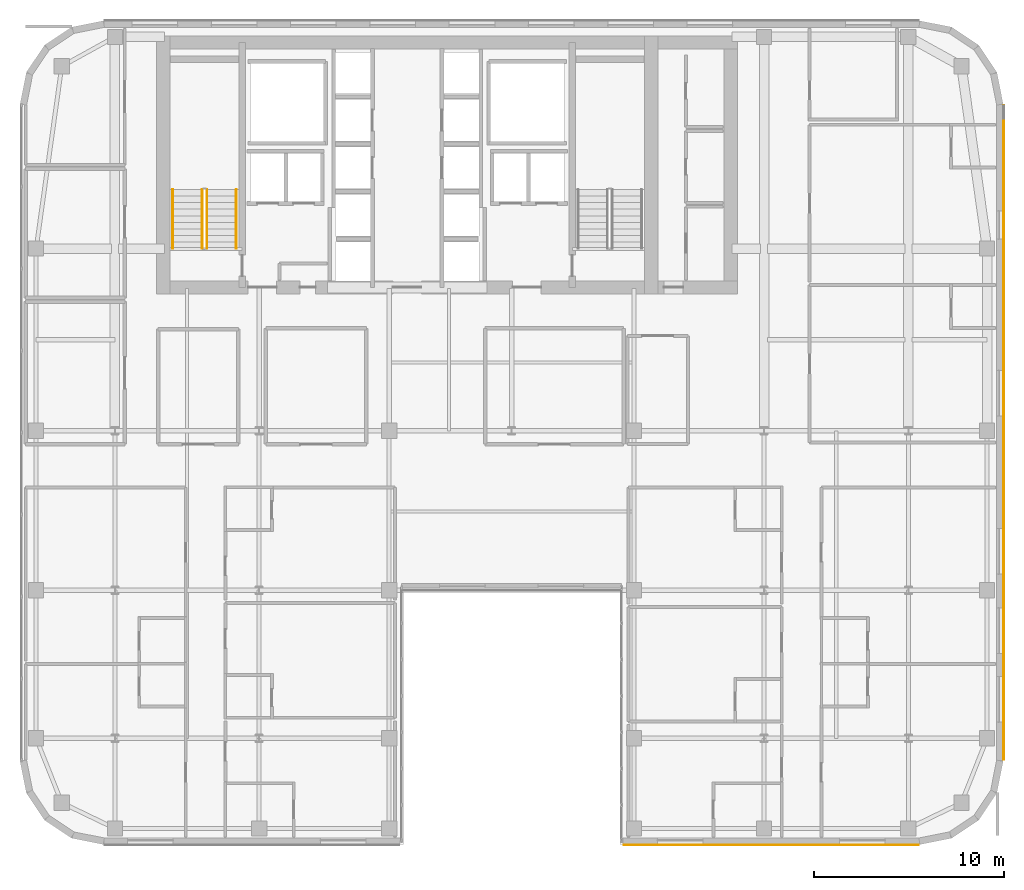
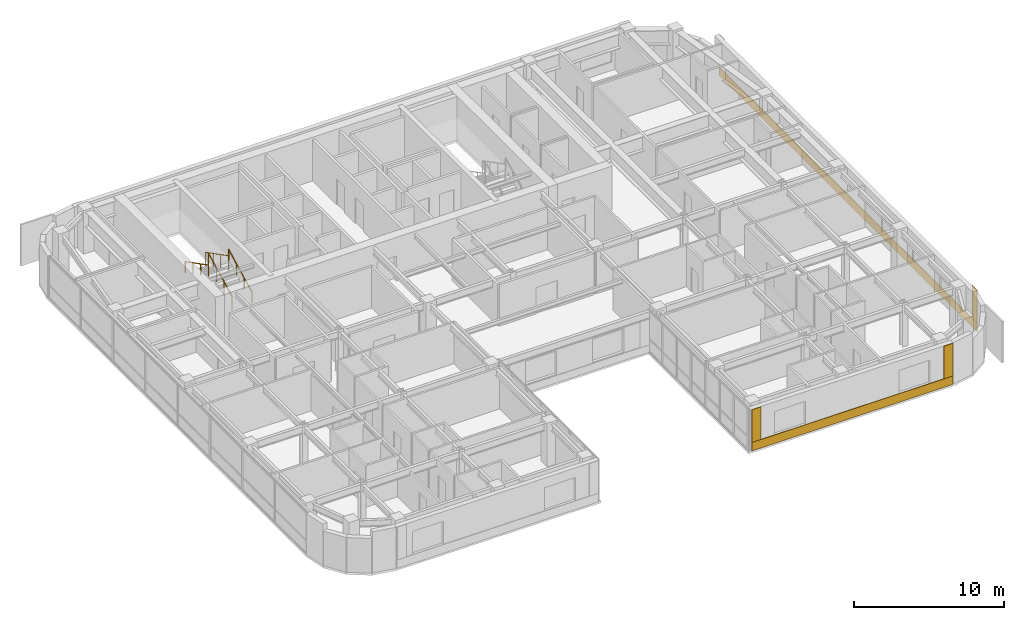
# One storey, part 26 of 28: 5 coverings, 4 railings.
"""IFC4 building model written with IfcOpenShell, lengths in metres."""

from ifc_helpers import new_model, si_unit, direction, frame, origin, origin_2d, place, context, subcontext, project, spatial, polyline, circle, outline, extrude, material, layer, layer_set, type_object, element, save


model = new_model("IFC4")

# Units and contexts
model_context = context("Model", 3, precision=1e-05, world=origin(), true_north=direction((0.0, 1.0)))
body_context = subcontext(model_context, "Body", "Model", "MODEL_VIEW")
ifc_project = project(units=[si_unit("LENGTHUNIT", "METRE"), si_unit("AREAUNIT", "SQUARE_METRE"), si_unit("VOLUMEUNIT", "CUBIC_METRE"), si_unit("PLANEANGLEUNIT", "RADIAN"), si_unit("MASSUNIT", "GRAM", prefix="KILO")], contexts=[model_context])

# Site, building, storey
site_placement = place(None, origin())
site = spatial("IfcSite", under=ifc_project, at=site_placement, CompositionType="ELEMENT")
building_placement = place(site_placement, origin())
building = spatial("IfcBuilding", under=site, at=building_placement, Name="Tolvann Quenvar Hotel", CompositionType="ELEMENT")
storey_placement = place(building_placement, frame((0.0, 0.0, 198.199951171875)))
storey = spatial("IfcBuildingStorey", under=building, at=storey_placement, Name="L52", CompositionType="ELEMENT", Elevation=198.199951171875)

# Coverings
ifc_material_1 = material(Name="Kiln-fired red architectural face brick cladding", Category="masonry")
ifc_layer_1 = layer(ifc_material_1, 0.0400390625)
ifc_layer_set_1 = layer_set([ifc_layer_1], Name="Kiln-fired red architectural face brick cladding")
covering_type_1 = type_object("IfcCoveringType", Name="COV_CLAD_BRICK_40", PredefinedType="CLADDING", material=ifc_layer_set_1)
covering_1_placement = place(storey_placement, frame((0.0, 0.0, 0.699951171875)))
element("IfcCovering", 1, at=covering_1_placement, inside=storey, type_object=covering_type_1, Name="Brick Pier Cladding (L52-E08-P1)", PredefinedType="CLADDING", context=body_context, shape_type="SweptSolid", body=[
    extrude(outline(polyline([(34.425048828125, 2.60009765625), (35.125, 2.60009765625), (35.125, 2.56005859375), (34.425048828125, 2.56005859375), (34.425048828125, 2.60009765625)])), origin(), (0.0, 0.0, 1.0), 2.670166015625),
])
covering_2_placement = place(storey_placement, frame((0.0, 0.0, 0.699951171875)))
element("IfcCovering", 2, at=covering_2_placement, inside=storey, type_object=covering_type_1, Name="Brick Pier Cladding (L52-E08-P2)", PredefinedType="CLADDING", context=body_context, shape_type="SweptSolid", body=[
    extrude(outline(polyline([(49.23291015625, 2.60009765625), (49.932861328125, 2.60009765625), (49.932861328125, 2.56005859375), (49.23291015625, 2.56005859375), (49.23291015625, 2.60009765625)])), origin(), (0.0, 0.0, 1.0), 2.670166015625),
])
covering_3_placement = place(storey_placement, frame((0.0, 0.0, 0.699951171875)))
element("IfcCovering", 3, at=covering_3_placement, inside=storey, type_object=covering_type_1, Name="Brick Pier Cladding (L52-E13-P1)", PredefinedType="CLADDING", context=body_context, shape_type="SweptSolid", body=[
    extrude(outline(polyline([(54.39990234375, 7.067138671875), (54.39990234375, 7.76708984375), (54.43994140625, 7.76708984375), (54.43994140625, 7.067138671875), (54.39990234375, 7.067138671875)])), origin(), (0.0, 0.0, 1.0), 2.670166015625),
])
ifc_material_2 = material(Name="Moulded buff architectural terracotta spandrel cladding", Category="masonry")
ifc_layer_2 = layer(ifc_material_2, 0.0400390625)
ifc_layer_set_2 = layer_set([ifc_layer_2], Name="Moulded buff architectural terracotta spandrel cladding")
covering_type_2 = type_object("IfcCoveringType", Name="COV_CLAD_TERRA_40", PredefinedType="CLADDING", material=ifc_layer_set_2)
covering_4_placement = place(storey_placement, origin())
element("IfcCovering", 4, at=covering_4_placement, inside=storey, type_object=covering_type_2, Name="Terracotta Spandrel Cladding (L52-E08)", PredefinedType="CLADDING", context=body_context, shape_type="SweptSolid", body=[
    extrude(outline(polyline([(34.4150390625, 2.60009765625), (49.94287109375, 2.60009765625), (49.94287109375, 2.56005859375), (34.4150390625, 2.56005859375), (34.4150390625, 2.60009765625)])), origin(), (0.0, 0.0, 1.0), 0.699951171875),
])
covering_5_placement = place(storey_placement, origin())
element("IfcCovering", 5, at=covering_5_placement, inside=storey, type_object=covering_type_2, Name="Terracotta Spandrel Cladding (L52-E13)", PredefinedType="CLADDING", context=body_context, shape_type="SweptSolid", body=[
    extrude(outline(polyline([(54.39990234375, 7.05712890625), (54.39990234375, 41.542724609375), (54.43994140625, 41.542724609375), (54.43994140625, 7.05712890625), (54.39990234375, 7.05712890625)])), origin(), (0.0, 0.0, 1.0), 0.699951171875),
])

# Railings
ifc_material_3 = material(Name="Brushed 316 stainless steel balustrade and handrail", Category="steel")
railing_type_1 = type_object("IfcRailingType", Name="GUARDRAIL", PredefinedType="GUARDRAIL", material=ifc_material_3)
railing_1_placement = place(storey_placement, frame((12.449951171875, 34.0, 0.177490234375)))
element("IfcRailing", 6, at=railing_1_placement, inside=storey, type_object=railing_type_1, Name="L52 ST-C1 stair guard 1", PredefinedType="GUARDRAIL", context=body_context, shape_type="SweptSolid", body=[
    extrude(circle(Radius=0.02392578125, at=origin_2d()), frame((0.0, 0.0, 1.09619140625), z_axis=(0.0, 0.88919353882, 0.457531256332), x_axis=(-1.0, 0.0, 0.0)), (0.0, 0.0, 1.0), 3.491943359375),
    extrude(circle(Radius=0.02099609375, at=origin_2d()), origin(), (0.0, 0.0, 1.0), 1.072021484375),
    extrude(circle(Radius=0.02099609375, at=origin_2d()), frame((0.0, 1.034912109375, 0.532470703125)), (0.0, 0.0, 1.0), 1.072021484375),
    extrude(circle(Radius=0.02099609375, at=origin_2d()), frame((0.0, 2.070068359375, 1.065185546875)), (0.0, 0.0, 1.0), 1.072021484375),
    extrude(circle(Radius=0.02099609375, at=origin_2d()), frame((0.0, 3.10498046875, 1.59765625)), (0.0, 0.0, 1.0), 1.072021484375),
])
railing_2_placement = place(storey_placement, frame((12.199951171875, 37.10498046875, 1.95263671875)))
element("IfcRailing", 7, at=railing_2_placement, inside=storey, type_object=railing_type_1, Name="L52 ST-C1 stair guard 3", PredefinedType="GUARDRAIL", context=body_context, shape_type="SweptSolid", body=[
    extrude(circle(Radius=0.02392578125, at=origin_2d()), frame((0.0, 0.0, 1.09619140625), z_axis=(0.0, -0.889221982265, 0.45747597342), x_axis=(1.0, 0.0, 0.0)), (0.0, 0.0, 1.0), 3.49169921875),
    extrude(circle(Radius=0.02099609375, at=origin_2d()), origin(), (0.0, 0.0, 1.0), 1.072021484375),
    extrude(circle(Radius=0.02099609375, at=origin_2d()), frame((0.0, -1.034912109375, 0.532470703125)), (0.0, 0.0, 1.0), 1.072021484375),
    extrude(circle(Radius=0.02099609375, at=origin_2d()), frame((0.0, -2.070068359375, 1.06494140625)), (0.0, 0.0, 1.0), 1.072021484375),
    extrude(circle(Radius=0.02099609375, at=origin_2d()), frame((0.0, -3.10498046875, 1.597412109375)), (0.0, 0.0, 1.0), 1.072021484375),
])
railing_type_2 = type_object("IfcRailingType", Name="HANDRAIL", PredefinedType="HANDRAIL", material=ifc_material_3)
railing_3_placement = place(storey_placement, frame((14.0, 34.0, 0.177490234375)))
element("IfcRailing", 8, at=railing_3_placement, inside=storey, type_object=railing_type_2, Name="L52 ST-C1 stair handrail 1", PredefinedType="HANDRAIL", context=body_context, shape_type="SweptSolid", body=[
    extrude(circle(Radius=0.02392578125, at=origin_2d()), frame((0.0, 0.0, 0.8759765625), z_axis=(0.0, 0.88919353882, 0.457531256332), x_axis=(-1.0, 0.0, 0.0)), (0.0, 0.0, 1.0), 3.491943359375),
    extrude(circle(Radius=0.02099609375, at=origin_2d()), origin(), (0.0, 0.0, 1.0), 0.851806640625),
    extrude(circle(Radius=0.02099609375, at=origin_2d()), frame((0.0, 1.034912109375, 0.532470703125)), (0.0, 0.0, 1.0), 0.851806640625),
    extrude(circle(Radius=0.02099609375, at=origin_2d()), frame((0.0, 2.070068359375, 1.065185546875)), (0.0, 0.0, 1.0), 0.851806640625),
    extrude(circle(Radius=0.02099609375, at=origin_2d()), frame((0.0, 3.10498046875, 1.59765625)), (0.0, 0.0, 1.0), 0.851806640625),
])
railing_4_placement = place(storey_placement, frame((10.64990234375, 37.10498046875, 1.95263671875)))
element("IfcRailing", 9, at=railing_4_placement, inside=storey, type_object=railing_type_2, Name="L52 ST-C1 stair handrail 2", PredefinedType="HANDRAIL", context=body_context, shape_type="SweptSolid", body=[
    extrude(circle(Radius=0.02392578125, at=origin_2d()), frame((0.0, 0.0, 0.8759765625), z_axis=(0.0, -0.889221982265, 0.45747597342), x_axis=(1.0, 0.0, 0.0)), (0.0, 0.0, 1.0), 3.49169921875),
    extrude(circle(Radius=0.02099609375, at=origin_2d()), origin(), (0.0, 0.0, 1.0), 0.851806640625),
    extrude(circle(Radius=0.02099609375, at=origin_2d()), frame((0.0, -1.034912109375, 0.532470703125)), (0.0, 0.0, 1.0), 0.851806640625),
    extrude(circle(Radius=0.02099609375, at=origin_2d()), frame((0.0, -2.070068359375, 1.06494140625)), (0.0, 0.0, 1.0), 0.851806640625),
    extrude(circle(Radius=0.02099609375, at=origin_2d()), frame((0.0, -3.10498046875, 1.597412109375)), (0.0, 0.0, 1.0), 0.851806640625),
])

save(model, "model.ifc")
